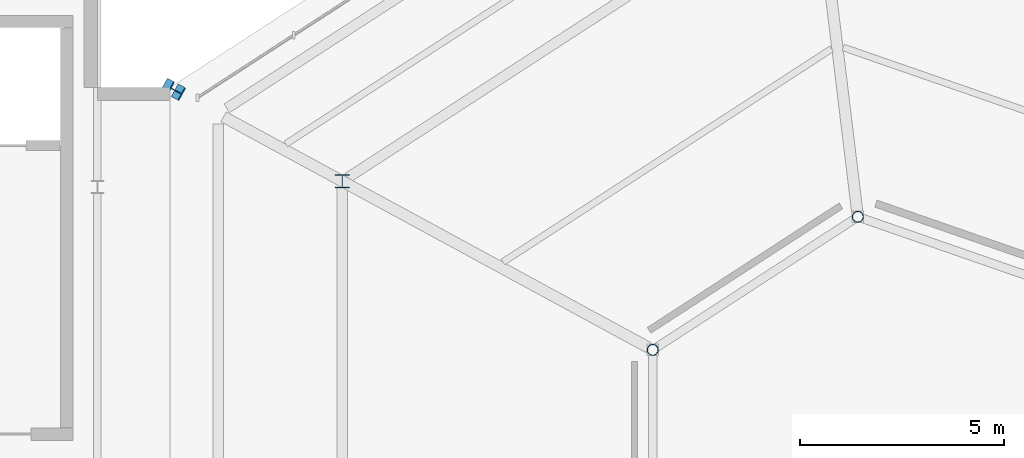
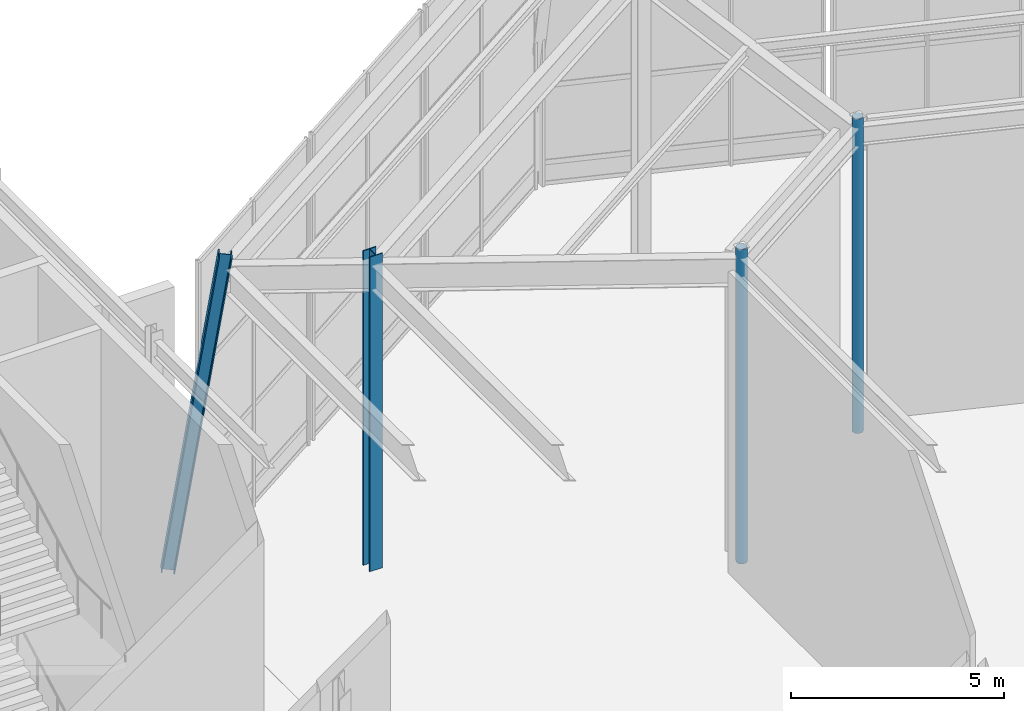
# One storey, part 5 of 48: 4 columns.
"""IFC4 building model written with IfcOpenShell, lengths in metres."""

from ifc_helpers import new_model, si_unit, direction, frame, origin, origin_2d, place, context, subcontext, project, spatial, hollow_circle, i_section, extrude, material, material_profile, profile_set, type_object, element, save


model = new_model("IFC4")

# Units and contexts
model_context = context("Model", 3, precision=1e-05, world=origin(), true_north=direction((0.0, 1.0)))
body_context = subcontext(model_context, "Body", "Model", "MODEL_VIEW")
ifc_project = project(units=[si_unit("LENGTHUNIT", "METRE"), si_unit("AREAUNIT", "SQUARE_METRE"), si_unit("VOLUMEUNIT", "CUBIC_METRE"), si_unit("PLANEANGLEUNIT", "RADIAN"), si_unit("MASSUNIT", "GRAM", prefix="KILO")], contexts=[model_context])

# Site, building, storey
site_placement = place(None, origin())
site = spatial("IfcSite", under=ifc_project, at=site_placement, CompositionType="ELEMENT")
building_placement = place(site_placement, origin())
building = spatial("IfcBuilding", under=site, at=building_placement, Name="Sarnbrook Museum", CompositionType="ELEMENT")
storey_placement = place(building_placement, frame((0.0, 0.0, 19.10009765625)))
storey = spatial("IfcBuildingStorey", under=building, at=storey_placement, Name="L04", CompositionType="ELEMENT", Elevation=19.10009765625)

# Columns
ifc_material_1 = material(Name="Structural Steel Hollow Section Grade C350L0 (AS/NZS 1163, fy = 350 MPa)", Category="steel")
ifc_material_profile_1 = material_profile(ifc_material_1, hollow_circle(Radius=0.136474609375, WallThickness=0.00927734375, at=origin_2d()), Name="273.1x9.3CHS")
ifc_profile_set_1 = profile_set([ifc_material_profile_1], Name="Structural Steel Hollow Section Grade C350L0 (AS/NZS 1163, fy = 350 MPa)")
column_type_1 = type_object("IfcColumnType", Name="COL-CHS273", PredefinedType="COLUMN", material=ifc_profile_set_1)
for number, where, z_axis, x_axis, name in (
    (1, (137.822509765625, 100.07080078125, 0.0), (0.0, 0.0, 1.0), (1.0, 0.0, 0.0), "Crystal Gallery Feature Column R2-6 L04"),
    (2, (132.800048828125, 96.81201171875, 0.0), (0.0, 0.0, 1.0), (1.0, 0.0, 0.0), "Crystal Gallery Feature Column R2-7 L04"),
):
    element("IfcColumn", number, at=place(storey_placement, frame(where, z_axis=z_axis, x_axis=x_axis)), inside=storey, type_object=column_type_1, Name=name, PredefinedType="COLUMN", context=body_context, shape_type="SweptSolid", body=[
        extrude(hollow_circle(Radius=0.136474609375, WallThickness=0.00927734375, at=origin_2d()), origin(), (0.0, 0.0, 1.0), 9.0),
    ])
ifc_material_2 = material(Name="Structural Steel Grade 350L0 (AS/NZS 3678, fy = 340 MPa for 20 < t <= 40 mm)", Category="steel")
ifc_material_profile_2 = material_profile(ifc_material_2, i_section(OverallWidth=0.35009765625, OverallDepth=0.3310546875, WebThickness=0.02001953125, FlangeThickness=0.028076171875, at=origin_2d()), Name="350WC197")
ifc_profile_set_2 = profile_set([ifc_material_profile_2], Name="Structural Steel Grade 350L0 (AS/NZS 3678, fy = 340 MPa for 20 < t <= 40 mm)")
column_type_2 = type_object("IfcColumnType", Name="COL-WC350", PredefinedType="COLUMN", material=ifc_profile_set_2)
column_1_placement = place(storey_placement, frame((120.977294921875, 103.234619140625, 0.0), z_axis=(0.130192895734, -0.0707435949, 0.988961654303), x_axis=(0.477443433192, 0.878662488161, 0.0)))
element("IfcColumn", 3, at=column_1_placement, inside=storey, type_object=column_type_2, Name="Raking Crystal Rib Column V7 L04", PredefinedType="COLUMN", context=body_context, shape_type="SweptSolid", body=[
    extrude(i_section(OverallWidth=0.35009765625, OverallDepth=0.3310546875, WebThickness=0.02001953125, FlangeThickness=0.028076171875, at=origin_2d()), origin(), (0.0, 0.0, 1.0), 9.100341796875),
])
column_2_placement = place(storey_placement, frame((125.199951171875, 100.940673828125, 0.0), z_axis=(0.0, 0.0, 1.0), x_axis=(1.0, 0.0, 0.0)))
element("IfcColumn", 4, at=column_2_placement, inside=storey, type_object=column_type_2, Name="Crystal Hall Ring Column R1-7 L04", PredefinedType="COLUMN", context=body_context, shape_type="SweptSolid", body=[
    extrude(i_section(OverallWidth=0.35009765625, OverallDepth=0.3310546875, WebThickness=0.02001953125, FlangeThickness=0.028076171875, at=origin_2d()), origin(), (0.0, 0.0, 1.0), 9.0),
])

save(model, "model.ifc")
